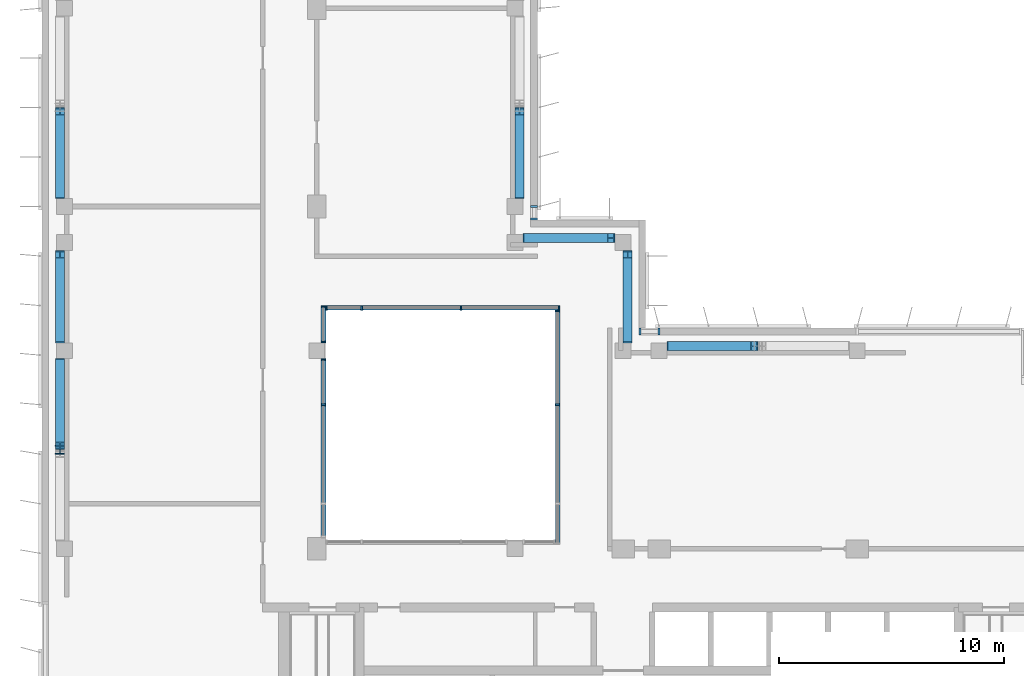
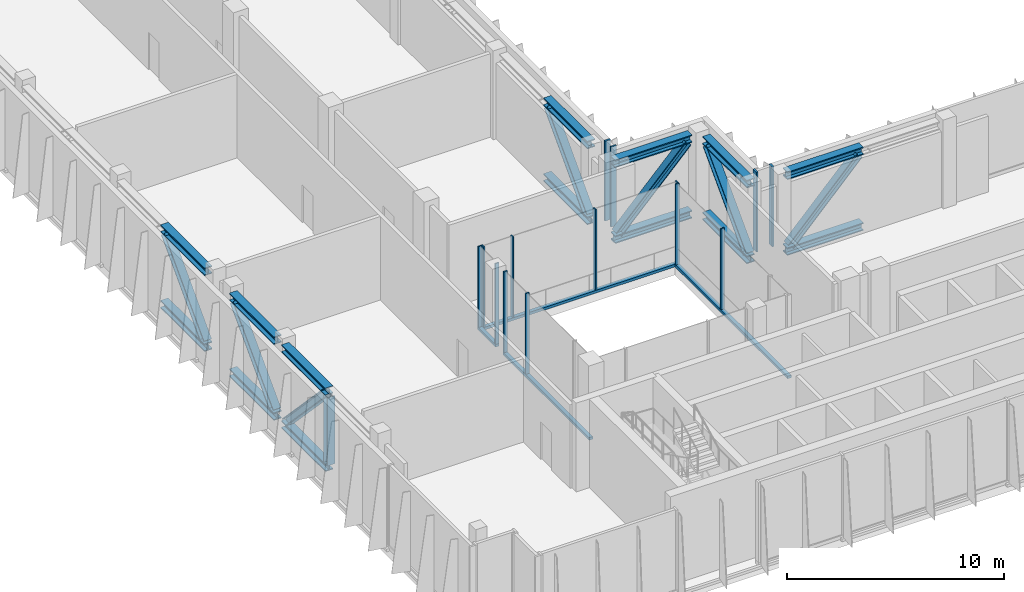
# One storey, part 4 of 14: 26 members, 14 beams, 6 elements without a shape of their own.
"""IFC4 building model written with IfcOpenShell, lengths in metres."""

from ifc_helpers import new_model, si_unit, direction, frame, origin, origin_2d, place, context, subcontext, project, spatial, rectangle, i_section, extrude, source, transform, mapped, material, material_profile, profile_set, type_object, element, aggregate, save


model = new_model("IFC4")

# Units and contexts
model_context = context("Model", 3, precision=1e-05, world=origin(), true_north=direction((0.0, 1.0)))
body_context = subcontext(model_context, "Body", "Model", "MODEL_VIEW")
ifc_project = project(units=[si_unit("LENGTHUNIT", "METRE"), si_unit("AREAUNIT", "SQUARE_METRE"), si_unit("VOLUMEUNIT", "CUBIC_METRE"), si_unit("PLANEANGLEUNIT", "RADIAN"), si_unit("MASSUNIT", "GRAM", prefix="KILO")], contexts=[model_context])

# Site, building, storey
site_placement = place(None, origin())
site = spatial("IfcSite", under=ifc_project, at=site_placement, CompositionType="ELEMENT")
building_placement = place(site_placement, origin())
building = spatial("IfcBuilding", under=site, at=building_placement, Name="Kemantara Hotel Tower", CompositionType="ELEMENT")
storey_placement = place(building_placement, frame((0.0, 0.0, 309.199951171875)))
storey = spatial("IfcBuildingStorey", under=building, at=storey_placement, Name="L78", CompositionType="ELEMENT", Elevation=309.199951171875)

# Curtain wall, member
ifc_material_1 = material(Name="Clear low-iron laminated glass 36 mm", Category="glass")
curtain_wall_type_1 = type_object("IfcCurtainWallType", Name="ATRIUM GLAZING WALL", PredefinedType="USERDEFINED", material=ifc_material_1)
curtain_wall_1_placement = place(storey_placement, origin())
curtain_wall_1 = element("IfcCurtainWall", 1, at=curtain_wall_1_placement, inside=storey, type_object=curtain_wall_type_1, Name="CW5 L78 ATR-R0-1", ObjectType="ATRIUM GLAZING WALL", PredefinedType="USERDEFINED")
ifc_material_2 = material(Name="Aluminium 6063-T6 bronze anodised", Category="aluminium")
ifc_material_profile_1 = material_profile(ifc_material_2, rectangle(XDim=0.199951171875, YDim=0.14990234375, at=origin_2d()), Name="ATRIUM GLAZING WALL TRANSOM")
ifc_profile_set_1 = profile_set([ifc_material_profile_1], Name="Aluminium 6063-T6 bronze anodised")
member_type_1 = type_object("IfcMemberType", Name="ATRIUM GLAZING WALL TRANSOM", PredefinedType="USERDEFINED", material=ifc_profile_set_1)
member_1_placement = place(storey_placement, frame((12.60009765625, 22.89990234375, 0.074951171875), z_axis=(1.0, 0.0, 0.0), x_axis=(0.0, 1.0, 0.0)))
member_1 = element("IfcMember", 2, at=member_1_placement, type_object=member_type_1, Name="CW5 sill transom ATR-R0-1", ObjectType="TRANSOM", PredefinedType="USERDEFINED", context=body_context, shape_type="SweptSolid", body=[
    extrude(rectangle(XDim=0.199951171875, YDim=0.14990234375, at=origin_2d()), origin(), (0.0, 0.0, 1.0), 10.39990234375),
])

curtain_wall_2_placement = place(storey_placement, origin())
curtain_wall_2 = element("IfcCurtainWall", 3, at=curtain_wall_2_placement, inside=storey, type_object=curtain_wall_type_1, Name="CW5 L78 ATR-R1-1", ObjectType="ATRIUM GLAZING WALL", PredefinedType="USERDEFINED")
member_2_placement = place(storey_placement, frame((22.89990234375, 22.800048828125, 0.074951171875), z_axis=(0.0, -1.0, 0.0), x_axis=(1.0, 0.0, 0.0)))
member_2 = element("IfcMember", 4, at=member_2_placement, type_object=member_type_1, Name="CW5 sill transom ATR-R1-1", ObjectType="TRANSOM", PredefinedType="USERDEFINED", context=body_context, shape_type="SweptSolid", body=[
    extrude(rectangle(XDim=0.199951171875, YDim=0.14990234375, at=origin_2d()), origin(), (0.0, 0.0, 1.0), 10.400146484375),
])

curtain_wall_3_placement = place(storey_placement, origin())
curtain_wall_3 = element("IfcCurtainWall", 5, at=curtain_wall_3_placement, inside=storey, type_object=curtain_wall_type_1, Name="CW5 L78 ATR-R3-1", ObjectType="ATRIUM GLAZING WALL", PredefinedType="USERDEFINED")
member_3_placement = place(storey_placement, frame((12.5, 12.699951171875, 0.074951171875), z_axis=(0.0, 1.0, 0.0), x_axis=(-1.0, 0.0, 0.0)))
member_3 = element("IfcMember", 6, at=member_3_placement, type_object=member_type_1, Name="CW5 sill transom ATR-R3-1", ObjectType="TRANSOM", PredefinedType="USERDEFINED", context=body_context, shape_type="SweptSolid", body=[
    extrude(rectangle(XDim=0.199951171875, YDim=0.14990234375, at=origin_2d()), origin(), (0.0, 0.0, 1.0), 7.949951171875),
])

curtain_wall_4_placement = place(storey_placement, origin())
curtain_wall_4 = element("IfcCurtainWall", 7, at=curtain_wall_4_placement, inside=storey, type_object=curtain_wall_type_1, Name="CW5 L78 ATR-R3-2", ObjectType="ATRIUM GLAZING WALL", PredefinedType="USERDEFINED")
member_4_placement = place(storey_placement, frame((12.5, 21.35009765625, 0.074951171875), z_axis=(0.0, 1.0, 0.0), x_axis=(-1.0, 0.0, 0.0)))
member_4 = element("IfcMember", 8, at=member_4_placement, type_object=member_type_1, Name="CW5 sill transom ATR-R3-2", ObjectType="TRANSOM", PredefinedType="USERDEFINED", context=body_context, shape_type="SweptSolid", body=[
    extrude(rectangle(XDim=0.199951171875, YDim=0.14990234375, at=origin_2d()), origin(), (0.0, 0.0, 1.0), 1.64990234375),
])

# Beams
ifc_material_3 = material(Name="Steel ASTM A992 Grade 50", Category="steel")
ifc_material_profile_2 = material_profile(ifc_material_3, i_section(OverallWidth=0.410888671875, OverallDepth=0.43408203125, WebThickness=0.035888671875, FlangeThickness=0.057373046875, at=origin_2d()), Name="W360X463")
ifc_profile_set_2 = profile_set([ifc_material_profile_2], Name="Steel ASTM A992 Grade 50")
beam_type = type_object("IfcBeamType", Name="TOP L78 TRUSS CHORD W360X463", PredefinedType="BEAM", material=ifc_profile_set_2)
for number, where, z_axis, x_axis, name in (
    (9, (0.800048828125, 16.60009765625, 0.217041015625), (0.0, 1.0, 0.0), (-1.0, 0.0, 0.0), "TOP L78 BAY 1 bottom chord 2"),
    (10, (0.800048828125, 16.60009765625, 4.483154296875), (0.0, 1.0, 0.0), (-1.0, 0.0, 0.0), "TOP L78 BAY 1 top chord 2"),
):
    element("IfcBeam", number, at=place(storey_placement, frame(where, z_axis=z_axis, x_axis=x_axis)), inside=storey, type_object=beam_type, Name=name, PredefinedType="BEAM", context=body_context, shape_type="SweptSolid", body=[
        extrude(i_section(OverallWidth=0.410888671875, OverallDepth=0.43408203125, WebThickness=0.035888671875, FlangeThickness=0.057373046875, at=origin_2d()), origin(), (0.0, 0.0, 1.0), 4.0498046875),
    ])
for number, where, z_axis, x_axis, name in (
    (11, (0.800048828125, 21.35009765625, 0.217041015625), (0.0, 1.0, 0.0), (-1.0, 0.0, 0.0), "TOP L78 BAY 2 bottom chord 1"),
    (12, (0.800048828125, 21.35009765625, 4.483154296875), (0.0, 1.0, 0.0), (-1.0, 0.0, 0.0), "TOP L78 BAY 2 top chord 1"),
):
    element("IfcBeam", number, at=place(storey_placement, frame(where, z_axis=z_axis, x_axis=x_axis)), inside=storey, type_object=beam_type, Name=name, PredefinedType="BEAM", context=body_context, shape_type="SweptSolid", body=[
        extrude(i_section(OverallWidth=0.410888671875, OverallDepth=0.43408203125, WebThickness=0.035888671875, FlangeThickness=0.057373046875, at=origin_2d()), origin(), (0.0, 0.0, 1.0), 4.099853515625),
    ])
for number, where, z_axis, x_axis, name in (
    (13, (0.800048828125, 27.75, 0.217041015625), (0.0, 1.0, 0.0), (-1.0, 0.0, 0.0), "TOP L78 BAY 4 bottom chord 1"),
    (14, (0.800048828125, 27.75, 4.483154296875), (0.0, 1.0, 0.0), (-1.0, 0.0, 0.0), "TOP L78 BAY 4 top chord 1"),
    (15, (21.199951171875, 27.75, 0.217041015625), (0.0, 1.0, 0.0), (-1.0, 0.0, 0.0), "TOP L78 BAY 8 bottom chord 1"),
    (16, (21.199951171875, 27.75, 4.483154296875), (0.0, 1.0, 0.0), (-1.0, 0.0, 0.0), "TOP L78 BAY 8 top chord 1"),
):
    element("IfcBeam", number, at=place(storey_placement, frame(where, z_axis=z_axis, x_axis=x_axis)), inside=storey, type_object=beam_type, Name=name, PredefinedType="BEAM", context=body_context, shape_type="SweptSolid", body=[
        extrude(i_section(OverallWidth=0.410888671875, OverallDepth=0.43408203125, WebThickness=0.035888671875, FlangeThickness=0.057373046875, at=origin_2d()), origin(), (0.0, 0.0, 1.0), 4.050048828125),
    ])
for number, where, z_axis, x_axis, name in (
    (17, (26.0, 21.35009765625, 0.217041015625), (0.0, 1.0, 0.0), (-1.0, 0.0, 0.0), "TOP L78 BAY 11 bottom chord 1"),
    (18, (26.0, 21.35009765625, 4.483154296875), (0.0, 1.0, 0.0), (-1.0, 0.0, 0.0), "TOP L78 BAY 11 top chord 1"),
):
    element("IfcBeam", number, at=place(storey_placement, frame(where, z_axis=z_axis, x_axis=x_axis)), inside=storey, type_object=beam_type, Name=name, PredefinedType="BEAM", context=body_context, shape_type="SweptSolid", body=[
        extrude(i_section(OverallWidth=0.410888671875, OverallDepth=0.43408203125, WebThickness=0.035888671875, FlangeThickness=0.057373046875, at=origin_2d()), origin(), (0.0, 0.0, 1.0), 4.099853515625),
    ])
for number, where, z_axis, x_axis, name in (
    (19, (27.75, 21.199951171875, 0.217041015625), (1.0, 0.0, 0.0), (0.0, 1.0, 0.0), "TOP L78 BAY 13 bottom chord 1"),
    (20, (27.75, 21.199951171875, 4.483154296875), (1.0, 0.0, 0.0), (0.0, 1.0, 0.0), "TOP L78 BAY 13 top chord 1"),
):
    element("IfcBeam", number, at=place(storey_placement, frame(where, z_axis=z_axis, x_axis=x_axis)), inside=storey, type_object=beam_type, Name=name, PredefinedType="BEAM", context=body_context, shape_type="SweptSolid", body=[
        extrude(i_section(OverallWidth=0.410888671875, OverallDepth=0.43408203125, WebThickness=0.035888671875, FlangeThickness=0.057373046875, at=origin_2d()), origin(), (0.0, 0.0, 1.0), 4.050048828125),
    ])
for number, where, z_axis, x_axis, name in (
    (21, (21.35009765625, 26.0, 0.217041015625), (1.0, 0.0, 0.0), (0.0, 1.0, 0.0), "TOP L78 BAY 14 bottom chord 1"),
    (22, (21.35009765625, 26.0, 4.483154296875), (1.0, 0.0, 0.0), (0.0, 1.0, 0.0), "TOP L78 BAY 14 top chord 1"),
):
    element("IfcBeam", number, at=place(storey_placement, frame(where, z_axis=z_axis, x_axis=x_axis)), inside=storey, type_object=beam_type, Name=name, PredefinedType="BEAM", context=body_context, shape_type="SweptSolid", body=[
        extrude(i_section(OverallWidth=0.410888671875, OverallDepth=0.43408203125, WebThickness=0.035888671875, FlangeThickness=0.057373046875, at=origin_2d()), origin(), (0.0, 0.0, 1.0), 4.099853515625),
    ])

# Members
ifc_material_profile_3 = material_profile(ifc_material_3, i_section(OverallWidth=0.404052734375, OverallDepth=0.406005859375, WebThickness=0.027099609375, FlangeThickness=0.043701171875, at=origin_2d()), Name="W360X347")
ifc_profile_set_3 = profile_set([ifc_material_profile_3], Name="Steel ASTM A992 Grade 50")
member_type_2 = type_object("IfcMemberType", Name="TOP L78 TRUSS DIAGONAL W360X347", PredefinedType="BRACE", material=ifc_profile_set_3)
member_5_placement = place(storey_placement, frame((0.800048828125, 20.458984375, 0.418212890625), z_axis=(0.0, -0.688514566613, 0.725222511758), x_axis=(1.0, 0.0, 0.0)))
element("IfcMember", 23, at=member_5_placement, inside=storey, type_object=member_type_2, Name="TOP L78 BAY 1 diagonal 2", PredefinedType="BRACE", context=body_context, shape_type="SweptSolid", body=[
    extrude(i_section(OverallWidth=0.404052734375, OverallDepth=0.406005859375, WebThickness=0.027099609375, FlangeThickness=0.043701171875, at=origin_2d()), origin(), (0.0, 0.0, 1.0), 5.327392578125),
])
member_6_placement = place(storey_placement, frame((0.800048828125, 21.54345703125, 0.418212890625), z_axis=(0.0, 0.692934787454, 0.721000263756), x_axis=(-1.0, 0.0, 0.0)))
element("IfcMember", 24, at=member_6_placement, inside=storey, type_object=member_type_2, Name="TOP L78 BAY 2 diagonal 1", PredefinedType="BRACE", context=body_context, shape_type="SweptSolid", body=[
    extrude(i_section(OverallWidth=0.404052734375, OverallDepth=0.406005859375, WebThickness=0.027099609375, FlangeThickness=0.043701171875, at=origin_2d()), origin(), (0.0, 0.0, 1.0), 5.358642578125),
])
for number, where, z_axis, x_axis, name in (
    (25, (0.800048828125, 27.941162109375, 0.418212890625), (0.0, 0.688490462528, 0.725245395028), (-1.0, 0.0, 0.0), "TOP L78 BAY 4 diagonal 1"),
    (26, (21.199951171875, 27.941162109375, 0.418212890625), (0.0, 0.688490462528, 0.725245395028), (-1.0, 0.0, 0.0), "TOP L78 BAY 8 diagonal 1"),
):
    element("IfcMember", number, at=place(storey_placement, frame(where, z_axis=z_axis, x_axis=x_axis)), inside=storey, type_object=member_type_2, Name=name, PredefinedType="BRACE", context=body_context, shape_type="SweptSolid", body=[
        extrude(i_section(OverallWidth=0.404052734375, OverallDepth=0.406005859375, WebThickness=0.027099609375, FlangeThickness=0.043701171875, at=origin_2d()), origin(), (0.0, 0.0, 1.0), 5.3271484375),
    ])
member_7_placement = place(storey_placement, frame((26.0, 21.54345703125, 0.418212890625), z_axis=(0.0, 0.692934787454, 0.721000263756), x_axis=(-1.0, 0.0, 0.0)))
element("IfcMember", 27, at=member_7_placement, inside=storey, type_object=member_type_2, Name="TOP L78 BAY 11 diagonal 1", PredefinedType="BRACE", context=body_context, shape_type="SweptSolid", body=[
    extrude(i_section(OverallWidth=0.404052734375, OverallDepth=0.406005859375, WebThickness=0.027099609375, FlangeThickness=0.043701171875, at=origin_2d()), origin(), (0.0, 0.0, 1.0), 5.358642578125),
])
member_8_placement = place(storey_placement, frame((27.941162109375, 21.199951171875, 0.418212890625), z_axis=(0.688490462528, 0.0, 0.725245395028), x_axis=(0.0, 1.0, 0.0)))
element("IfcMember", 28, at=member_8_placement, inside=storey, type_object=member_type_2, Name="TOP L78 BAY 13 diagonal 1", PredefinedType="BRACE", context=body_context, shape_type="SweptSolid", body=[
    extrude(i_section(OverallWidth=0.404052734375, OverallDepth=0.406005859375, WebThickness=0.027099609375, FlangeThickness=0.043701171875, at=origin_2d()), origin(), (0.0, 0.0, 1.0), 5.3271484375),
])
member_9_placement = place(storey_placement, frame((21.54345703125, 26.0, 0.418212890625), z_axis=(0.692934787454, 0.0, 0.721000263756), x_axis=(0.0, 1.0, 0.0)))
element("IfcMember", 29, at=member_9_placement, inside=storey, type_object=member_type_2, Name="TOP L78 BAY 14 diagonal 1", PredefinedType="BRACE", context=body_context, shape_type="SweptSolid", body=[
    extrude(i_section(OverallWidth=0.404052734375, OverallDepth=0.406005859375, WebThickness=0.027099609375, FlangeThickness=0.043701171875, at=origin_2d()), origin(), (0.0, 0.0, 1.0), 5.358642578125),
])
ifc_material_profile_4 = material_profile(ifc_material_3, i_section(OverallWidth=0.39892578125, OverallDepth=0.385986328125, WebThickness=0.02099609375, FlangeThickness=0.033203125, at=origin_2d()), Name="W360X262")
ifc_profile_set_4 = profile_set([ifc_material_profile_4], Name="Steel ASTM A992 Grade 50")
member_type_3 = type_object("IfcMemberType", Name="TOP L78 TRUSS POST W360X262", PredefinedType="POST", material=ifc_profile_set_4)
member_10_placement = place(storey_placement, frame((0.800048828125, 16.60009765625, 0.43408203125), z_axis=(0.0, 0.0, 1.0), x_axis=(1.0, 0.0, 0.0)))
element("IfcMember", 30, at=member_10_placement, inside=storey, type_object=member_type_3, Name="TOP L78 BAY 1 post 2", PredefinedType="POST", context=body_context, shape_type="SweptSolid", body=[
    extrude(i_section(OverallWidth=0.39892578125, OverallDepth=0.385986328125, WebThickness=0.02099609375, FlangeThickness=0.033203125, at=origin_2d()), origin(), (0.0, 0.0, 1.0), 3.83203125),
])

# Curtain wall, members
curtain_wall_type_2 = type_object("IfcCurtainWallType", Name="CROWN LOUVRE SCREEN WALL", PredefinedType="USERDEFINED", material=ifc_material_2)
curtain_wall_5_placement = place(storey_placement, origin())
curtain_wall_5 = element("IfcCurtainWall", 31, at=curtain_wall_5_placement, inside=storey, type_object=curtain_wall_type_2, Name="CW7 L78 CRN-R12-2", ObjectType="CROWN LOUVRE SCREEN WALL", PredefinedType="USERDEFINED")
ifc_material_profile_5 = material_profile(ifc_material_2, rectangle(XDim=0.300048828125, YDim=0.10009765625, at=origin_2d()), Name="CROWN LOUVRE SCREEN WALL MULLION")
ifc_profile_set_5 = profile_set([ifc_material_profile_5], Name="Aluminium 6063-T6 bronze anodised")
member_type_4 = type_object("IfcMemberType", Name="CROWN LOUVRE SCREEN WALL MULLION", PredefinedType="MULLION", material=ifc_profile_set_5)
shared_shape_1 = source(origin(), body_context, "Body", "SweptSolid", [
    extrude(rectangle(XDim=0.300048828125, YDim=0.10009765625, at=origin_2d()), origin(), (0.0, 0.0, 1.0), 4.5),
])
member_11_placement = place(storey_placement, frame((27.39990234375, 21.85009765625, 0.199951171875), z_axis=(0.0, 0.0, 1.0), x_axis=(0.0, -1.0, 0.0)))
member_11 = element("IfcMember", 32, at=member_11_placement, type_object=member_type_4, Name="CW7 mullion CRN-R12-2.1", PredefinedType="MULLION", context=body_context, shape_type="MappedRepresentation", body=[
    mapped(shared_shape_1, transform((0.0, 0.0, 0.0))),
])
member_12_placement = place(storey_placement, frame((26.550048828125, 21.85009765625, 0.199951171875), z_axis=(0.0, 0.0, 1.0), x_axis=(0.0, -1.0, 0.0)))
member_12 = element("IfcMember", 33, at=member_12_placement, type_object=member_type_4, Name="CW7 mullion CRN-R12-2.2", PredefinedType="MULLION", context=body_context, shape_type="MappedRepresentation", body=[
    mapped(shared_shape_1, transform((0.0, 0.0, 0.0))),
])
aggregate(curtain_wall_5, [member_11, member_12])

curtain_wall_6_placement = place(storey_placement, origin())
curtain_wall_6 = element("IfcCurtainWall", 34, at=curtain_wall_6_placement, inside=storey, type_object=curtain_wall_type_2, Name="CW7 L78 CRN-R15-1", ObjectType="CROWN LOUVRE SCREEN WALL", PredefinedType="USERDEFINED")
member_13_placement = place(storey_placement, frame((21.85009765625, 26.85009765625, 0.199951171875), z_axis=(0.0, 0.0, 1.0), x_axis=(-1.0, 0.0, 0.0)))
member_13 = element("IfcMember", 35, at=member_13_placement, type_object=member_type_4, Name="CW7 mullion CRN-R15-1.1", PredefinedType="MULLION", context=body_context, shape_type="MappedRepresentation", body=[
    mapped(shared_shape_1, transform((0.0, 0.0, 0.0))),
])
member_14_placement = place(storey_placement, frame((21.85009765625, 27.39990234375, 0.199951171875), z_axis=(0.0, 0.0, 1.0), x_axis=(-1.0, 0.0, 0.0)))
member_14 = element("IfcMember", 36, at=member_14_placement, type_object=member_type_4, Name="CW7 mullion CRN-R15-1.2", PredefinedType="MULLION", context=body_context, shape_type="MappedRepresentation", body=[
    mapped(shared_shape_1, transform((0.0, 0.0, 0.0))),
])
aggregate(curtain_wall_6, [member_13, member_14])

# Member
ifc_material_profile_6 = material_profile(ifc_material_2, rectangle(XDim=0.199951171875, YDim=0.074951171875, at=origin_2d()), Name="ATRIUM GLAZING WALL MULLION")
ifc_profile_set_6 = profile_set([ifc_material_profile_6], Name="Aluminium 6063-T6 bronze anodised")
member_type_5 = type_object("IfcMemberType", Name="ATRIUM GLAZING WALL MULLION", PredefinedType="MULLION", material=ifc_profile_set_6)
shared_shape_2 = source(origin(), body_context, "Body", "SweptSolid", [
    extrude(rectangle(XDim=0.199951171875, YDim=0.074951171875, at=origin_2d()), origin(), (0.0, 0.0, 1.0), 4.5498046875),
])
member_15_placement = place(storey_placement, frame((12.637451171875, 22.89990234375, 0.150146484375), z_axis=(0.0, 0.0, 1.0), x_axis=(0.0, 1.0, 0.0)))
member_15 = element("IfcMember", 37, at=member_15_placement, type_object=member_type_5, Name="CW5 mullion ATR-R0-1.1", PredefinedType="MULLION", context=body_context, shape_type="MappedRepresentation", body=[
    mapped(shared_shape_2, transform((0.0, 0.0, 0.0))),
])

member_16_placement = place(storey_placement, frame((14.199951171875, 22.89990234375, 0.150146484375), z_axis=(0.0, 0.0, 1.0), x_axis=(0.0, 1.0, 0.0)))
member_16 = element("IfcMember", 38, at=member_16_placement, type_object=member_type_5, Name="CW5 mullion ATR-R0-1.2", PredefinedType="MULLION", context=body_context, shape_type="MappedRepresentation", body=[
    mapped(shared_shape_2, transform((0.0, 0.0, 0.0))),
])

member_17_placement = place(storey_placement, frame((18.60009765625, 22.89990234375, 0.150146484375), z_axis=(0.0, 0.0, 1.0), x_axis=(0.0, 1.0, 0.0)))
member_17 = element("IfcMember", 39, at=member_17_placement, type_object=member_type_5, Name="CW5 mullion ATR-R0-1.3", PredefinedType="MULLION", context=body_context, shape_type="MappedRepresentation", body=[
    mapped(shared_shape_2, transform((0.0, 0.0, 0.0))),
])

member_18_placement = place(storey_placement, frame((22.96240234375, 22.89990234375, 0.150146484375), z_axis=(0.0, 0.0, 1.0), x_axis=(0.0, 1.0, 0.0)))
member_18 = element("IfcMember", 40, at=member_18_placement, type_object=member_type_5, Name="CW5 mullion ATR-R0-1.4", PredefinedType="MULLION", context=body_context, shape_type="MappedRepresentation", body=[
    mapped(shared_shape_2, transform((0.0, 0.0, 0.0))),
])

aggregate(curtain_wall_1, [member_1, member_15, member_16, member_17, member_18])

member_19_placement = place(storey_placement, frame((22.89990234375, 22.762451171875, 0.150146484375), z_axis=(0.0, 0.0, 1.0), x_axis=(1.0, 0.0, 0.0)))
member_19 = element("IfcMember", 41, at=member_19_placement, type_object=member_type_5, Name="CW5 mullion ATR-R1-1.1", PredefinedType="MULLION", context=body_context, shape_type="MappedRepresentation", body=[
    mapped(shared_shape_2, transform((0.0, 0.0, 0.0))),
])

member_20_placement = place(storey_placement, frame((22.89990234375, 18.60009765625, 0.150146484375), z_axis=(0.0, 0.0, 1.0), x_axis=(1.0, 0.0, 0.0)))
member_20 = element("IfcMember", 42, at=member_20_placement, type_object=member_type_5, Name="CW5 mullion ATR-R1-1.2", PredefinedType="MULLION", context=body_context, shape_type="MappedRepresentation", body=[
    mapped(shared_shape_2, transform((0.0, 0.0, 0.0))),
])

aggregate(curtain_wall_2, [member_2, member_19, member_20])

member_21_placement = place(storey_placement, frame((12.5, 18.60009765625, 0.150146484375), z_axis=(0.0, 0.0, 1.0), x_axis=(-1.0, 0.0, 0.0)))
member_21 = element("IfcMember", 43, at=member_21_placement, type_object=member_type_5, Name="CW5 mullion ATR-R3-1.3", PredefinedType="MULLION", context=body_context, shape_type="MappedRepresentation", body=[
    mapped(shared_shape_2, transform((0.0, 0.0, 0.0))),
])

member_22_placement = place(storey_placement, frame((12.5, 20.612548828125, 0.150146484375), z_axis=(0.0, 0.0, 1.0), x_axis=(-1.0, 0.0, 0.0)))
member_22 = element("IfcMember", 44, at=member_22_placement, type_object=member_type_5, Name="CW5 mullion ATR-R3-1.4", PredefinedType="MULLION", context=body_context, shape_type="MappedRepresentation", body=[
    mapped(shared_shape_2, transform((0.0, 0.0, 0.0))),
])

aggregate(curtain_wall_3, [member_3, member_21, member_22])

member_23_placement = place(storey_placement, frame((12.5, 21.387451171875, 0.150146484375), z_axis=(0.0, 0.0, 1.0), x_axis=(-1.0, 0.0, 0.0)))
member_23 = element("IfcMember", 45, at=member_23_placement, type_object=member_type_5, Name="CW5 mullion ATR-R3-2.1", PredefinedType="MULLION", context=body_context, shape_type="MappedRepresentation", body=[
    mapped(shared_shape_2, transform((0.0, 0.0, 0.0))),
])

member_24_placement = place(storey_placement, frame((12.5, 22.96240234375, 0.150146484375), z_axis=(0.0, 0.0, 1.0), x_axis=(-1.0, 0.0, 0.0)))
member_24 = element("IfcMember", 46, at=member_24_placement, type_object=member_type_5, Name="CW5 mullion ATR-R3-2.2", PredefinedType="MULLION", context=body_context, shape_type="MappedRepresentation", body=[
    mapped(shared_shape_2, transform((0.0, 0.0, 0.0))),
])

aggregate(curtain_wall_4, [member_4, member_23, member_24])

save(model, "model.ifc")
